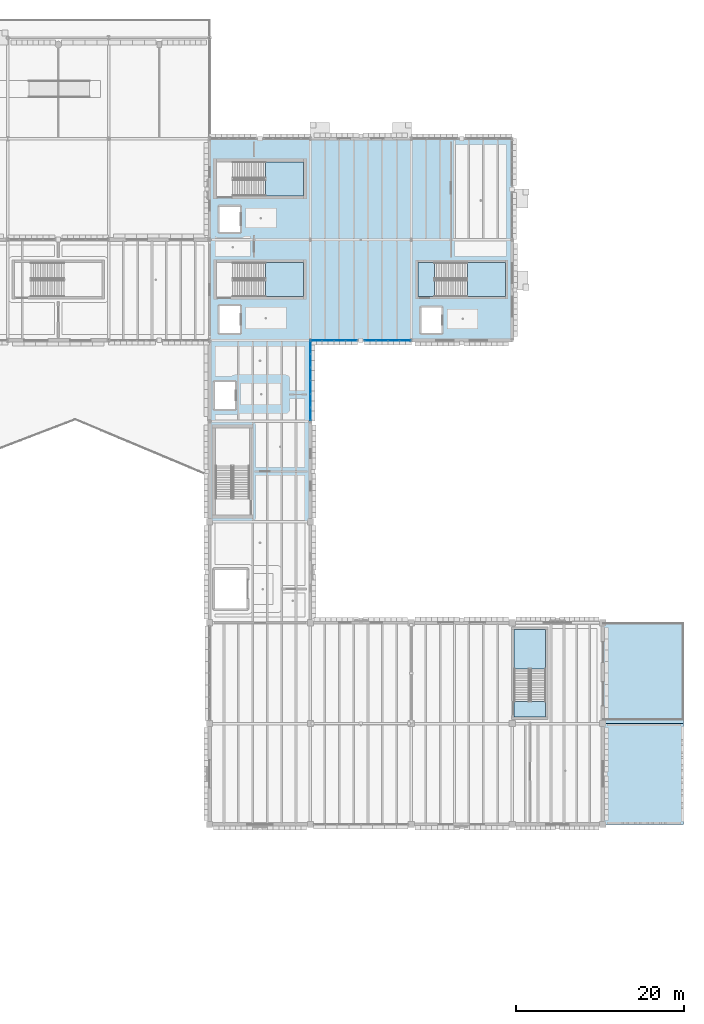
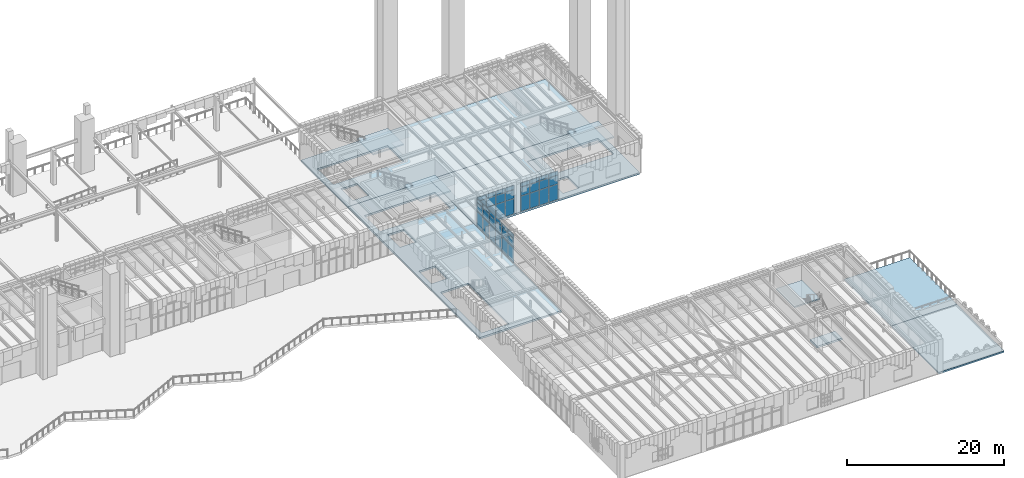
# One storey, part 48 of 103: 42 plates, 11 slabs, 7 elements without a shape of their own.
"""IFC4 building model written with IfcOpenShell, lengths in metres."""

from ifc_helpers import new_model, si_unit, direction, frame, origin, origin_2d, place, context, subcontext, project, spatial, polyline, rectangle, outline, extrude, material, layer, layer_set, type_object, element, aggregate, save


model = new_model("IFC4")

# Units and contexts
model_context = context("Model", 3, precision=1e-05, world=origin(), true_north=direction((0.0, 1.0)))
body_context = subcontext(model_context, "Body", "Model", "MODEL_VIEW")
ifc_project = project(units=[si_unit("LENGTHUNIT", "METRE"), si_unit("AREAUNIT", "SQUARE_METRE"), si_unit("VOLUMEUNIT", "CUBIC_METRE"), si_unit("PLANEANGLEUNIT", "RADIAN"), si_unit("MASSUNIT", "GRAM", prefix="KILO")], contexts=[model_context])

# Site, building, storey
site_placement = place(None, origin())
site = spatial("IfcSite", under=ifc_project, at=site_placement, CompositionType="ELEMENT")
building_placement = place(site_placement, origin())
building = spatial("IfcBuilding", under=site, at=building_placement, Name="Zlatogorsky Bluff Art Gallery", CompositionType="ELEMENT")
storey_placement = place(building_placement, origin())
storey = spatial("IfcBuildingStorey", under=building, at=storey_placement, Name="L00", CompositionType="ELEMENT", Elevation=0.0)

# Curtain wall, plates
ifc_material_1 = material(Name="Anodised Bronze Aluminium and Low-Iron Triple Glazing", Category="aluminium")
ifc_layer_1 = layer(ifc_material_1, 0.199951171875)
ifc_layer_set_1 = layer_set([ifc_layer_1], Name="Curtain Wall CW-02")
curtain_wall_type = type_object("IfcCurtainWallType", Name="Curtain Wall CW-02", PredefinedType="USERDEFINED", material=ifc_layer_set_1)
curtain_wall_1_placement = place(storey_placement, origin())
curtain_wall_1 = element("IfcCurtainWall", 1, at=curtain_wall_1_placement, inside=storey, type_object=curtain_wall_type, Name="Unitised curtain wall CW-02 L00 E 10.7", ObjectType="CURTAIN WALL", PredefinedType="USERDEFINED")
ifc_material_2 = material(Name="Low-Iron Laminated Triple Glazing", Category="glass")
ifc_layer_2 = layer(ifc_material_2, 0.035888671875)
ifc_layer_set_2 = layer_set([ifc_layer_2], Name="Glazed Curtain Panel CWP-01")
plate_type = type_object("IfcPlateType", Name="Glazed Curtain Panel CWP-01", PredefinedType="CURTAIN_PANEL", material=ifc_layer_set_2)
plate_1_placement = place(storey_placement, frame((132.0, 75.21630859375, 0.06494140625), z_axis=(0.0, 0.0, 1.0), x_axis=(0.0, 1.0, 0.0)))
plate_1 = element("IfcPlate", 2, at=plate_1_placement, type_object=plate_type, Name="CW-02 panel 1.1", PredefinedType="CURTAIN_PANEL", context=body_context, shape_type="SweptSolid", body=[
    extrude(rectangle(XDim=1.50244140625, YDim=0.035888671875, at=origin_2d()), origin(), (0.0, 0.0, 1.0), 2.3525390625),
])
plate_2_placement = place(storey_placement, frame((132.0, 75.21630859375, 2.482421875), z_axis=(0.0, 0.0, 1.0), x_axis=(0.0, 1.0, 0.0)))
plate_2 = element("IfcPlate", 3, at=plate_2_placement, type_object=plate_type, Name="CW-02 panel 1.2", PredefinedType="CURTAIN_PANEL", context=body_context, shape_type="SweptSolid", body=[
    extrude(rectangle(XDim=1.50244140625, YDim=0.035888671875, at=origin_2d()), origin(), (0.0, 0.0, 1.0), 1.3349609375),
])
plate_3_placement = place(storey_placement, frame((132.0, 75.21630859375, 3.88232421875), z_axis=(0.0, 0.0, 1.0), x_axis=(0.0, 1.0, 0.0)))
plate_3 = element("IfcPlate", 4, at=plate_3_placement, type_object=plate_type, Name="CW-02 panel 1.3", PredefinedType="CURTAIN_PANEL", context=body_context, shape_type="SweptSolid", body=[
    extrude(rectangle(XDim=1.50244140625, YDim=0.035888671875, at=origin_2d()), origin(), (0.0, 0.0, 1.0), 0.612548828125),
])
plate_4_placement = place(storey_placement, frame((132.0, 76.800048828125, 0.06494140625), z_axis=(0.0, 0.0, 1.0), x_axis=(0.0, 1.0, 0.0)))
plate_4 = element("IfcPlate", 5, at=plate_4_placement, type_object=plate_type, Name="CW-02 panel 2.1", PredefinedType="CURTAIN_PANEL", context=body_context, shape_type="SweptSolid", body=[
    extrude(rectangle(XDim=1.534912109375, YDim=0.035888671875, at=origin_2d()), origin(), (0.0, 0.0, 1.0), 2.3525390625),
])
plate_5_placement = place(storey_placement, frame((132.0, 76.800048828125, 2.482421875), z_axis=(0.0, 0.0, 1.0), x_axis=(0.0, 1.0, 0.0)))
plate_5 = element("IfcPlate", 6, at=plate_5_placement, type_object=plate_type, Name="CW-02 panel 2.2", PredefinedType="CURTAIN_PANEL", context=body_context, shape_type="SweptSolid", body=[
    extrude(rectangle(XDim=1.534912109375, YDim=0.035888671875, at=origin_2d()), origin(), (0.0, 0.0, 1.0), 1.3349609375),
])
plate_6_placement = place(storey_placement, frame((132.0, 76.800048828125, 3.88232421875), z_axis=(0.0, 0.0, 1.0), x_axis=(0.0, 1.0, 0.0)))
plate_6 = element("IfcPlate", 7, at=plate_6_placement, type_object=plate_type, Name="CW-02 panel 2.3", PredefinedType="CURTAIN_PANEL", context=body_context, shape_type="SweptSolid", body=[
    extrude(rectangle(XDim=1.534912109375, YDim=0.035888671875, at=origin_2d()), origin(), (0.0, 0.0, 1.0), 0.612548828125),
])
plate_7_placement = place(storey_placement, frame((132.0, 78.39990234375, 0.06494140625), z_axis=(0.0, 0.0, 1.0), x_axis=(0.0, 1.0, 0.0)))
plate_7 = element("IfcPlate", 8, at=plate_7_placement, type_object=plate_type, Name="CW-02 panel 3.1", PredefinedType="CURTAIN_PANEL", context=body_context, shape_type="SweptSolid", body=[
    extrude(rectangle(XDim=1.534912109375, YDim=0.035888671875, at=origin_2d()), origin(), (0.0, 0.0, 1.0), 2.3525390625),
])
plate_8_placement = place(storey_placement, frame((132.0, 78.39990234375, 2.482421875), z_axis=(0.0, 0.0, 1.0), x_axis=(0.0, 1.0, 0.0)))
plate_8 = element("IfcPlate", 9, at=plate_8_placement, type_object=plate_type, Name="CW-02 panel 3.2", PredefinedType="CURTAIN_PANEL", context=body_context, shape_type="SweptSolid", body=[
    extrude(rectangle(XDim=1.534912109375, YDim=0.035888671875, at=origin_2d()), origin(), (0.0, 0.0, 1.0), 1.3349609375),
])
plate_9_placement = place(storey_placement, frame((132.0, 78.39990234375, 3.88232421875), z_axis=(0.0, 0.0, 1.0), x_axis=(0.0, 1.0, 0.0)))
plate_9 = element("IfcPlate", 10, at=plate_9_placement, type_object=plate_type, Name="CW-02 panel 3.3", PredefinedType="CURTAIN_PANEL", context=body_context, shape_type="SweptSolid", body=[
    extrude(rectangle(XDim=1.534912109375, YDim=0.035888671875, at=origin_2d()), origin(), (0.0, 0.0, 1.0), 0.612548828125),
])
plate_10_placement = place(storey_placement, frame((132.0, 80.0, 0.06494140625), z_axis=(0.0, 0.0, 1.0), x_axis=(0.0, 1.0, 0.0)))
plate_10 = element("IfcPlate", 11, at=plate_10_placement, type_object=plate_type, Name="CW-02 panel 4.1", PredefinedType="CURTAIN_PANEL", context=body_context, shape_type="SweptSolid", body=[
    extrude(rectangle(XDim=1.534912109375, YDim=0.035888671875, at=origin_2d()), origin(), (0.0, 0.0, 1.0), 2.3525390625),
])
plate_11_placement = place(storey_placement, frame((132.0, 80.0, 2.482421875), z_axis=(0.0, 0.0, 1.0), x_axis=(0.0, 1.0, 0.0)))
plate_11 = element("IfcPlate", 12, at=plate_11_placement, type_object=plate_type, Name="CW-02 panel 4.2", PredefinedType="CURTAIN_PANEL", context=body_context, shape_type="SweptSolid", body=[
    extrude(rectangle(XDim=1.534912109375, YDim=0.035888671875, at=origin_2d()), origin(), (0.0, 0.0, 1.0), 1.3349609375),
])
plate_12_placement = place(storey_placement, frame((132.0, 80.0, 3.88232421875), z_axis=(0.0, 0.0, 1.0), x_axis=(0.0, 1.0, 0.0)))
plate_12 = element("IfcPlate", 13, at=plate_12_placement, type_object=plate_type, Name="CW-02 panel 4.3", PredefinedType="CURTAIN_PANEL", context=body_context, shape_type="SweptSolid", body=[
    extrude(rectangle(XDim=1.534912109375, YDim=0.035888671875, at=origin_2d()), origin(), (0.0, 0.0, 1.0), 0.612548828125),
])
plate_13_placement = place(storey_placement, frame((132.0, 81.60009765625, 0.06494140625), z_axis=(0.0, 0.0, 1.0), x_axis=(0.0, 1.0, 0.0)))
plate_13 = element("IfcPlate", 14, at=plate_13_placement, type_object=plate_type, Name="CW-02 panel 5.1", PredefinedType="CURTAIN_PANEL", context=body_context, shape_type="SweptSolid", body=[
    extrude(rectangle(XDim=1.534912109375, YDim=0.035888671875, at=origin_2d()), origin(), (0.0, 0.0, 1.0), 2.3525390625),
])
plate_14_placement = place(storey_placement, frame((132.0, 81.60009765625, 2.482421875), z_axis=(0.0, 0.0, 1.0), x_axis=(0.0, 1.0, 0.0)))
plate_14 = element("IfcPlate", 15, at=plate_14_placement, type_object=plate_type, Name="CW-02 panel 5.2", PredefinedType="CURTAIN_PANEL", context=body_context, shape_type="SweptSolid", body=[
    extrude(rectangle(XDim=1.534912109375, YDim=0.035888671875, at=origin_2d()), origin(), (0.0, 0.0, 1.0), 1.3349609375),
])
plate_15_placement = place(storey_placement, frame((132.0, 81.60009765625, 3.88232421875), z_axis=(0.0, 0.0, 1.0), x_axis=(0.0, 1.0, 0.0)))
plate_15 = element("IfcPlate", 16, at=plate_15_placement, type_object=plate_type, Name="CW-02 panel 5.3", PredefinedType="CURTAIN_PANEL", context=body_context, shape_type="SweptSolid", body=[
    extrude(rectangle(XDim=1.534912109375, YDim=0.035888671875, at=origin_2d()), origin(), (0.0, 0.0, 1.0), 0.612548828125),
])
plate_16_placement = place(storey_placement, frame((132.0, 83.183837890625, 0.06494140625), z_axis=(0.0, 0.0, 1.0), x_axis=(0.0, 1.0, 0.0)))
plate_16 = element("IfcPlate", 17, at=plate_16_placement, type_object=plate_type, Name="CW-02 panel 6.1", PredefinedType="CURTAIN_PANEL", context=body_context, shape_type="SweptSolid", body=[
    extrude(rectangle(XDim=1.50244140625, YDim=0.035888671875, at=origin_2d()), origin(), (0.0, 0.0, 1.0), 2.3525390625),
])
plate_17_placement = place(storey_placement, frame((132.0, 83.183837890625, 2.482421875), z_axis=(0.0, 0.0, 1.0), x_axis=(0.0, 1.0, 0.0)))
plate_17 = element("IfcPlate", 18, at=plate_17_placement, type_object=plate_type, Name="CW-02 panel 6.2", PredefinedType="CURTAIN_PANEL", context=body_context, shape_type="SweptSolid", body=[
    extrude(rectangle(XDim=1.50244140625, YDim=0.035888671875, at=origin_2d()), origin(), (0.0, 0.0, 1.0), 1.3349609375),
])
plate_18_placement = place(storey_placement, frame((132.0, 83.183837890625, 3.88232421875), z_axis=(0.0, 0.0, 1.0), x_axis=(0.0, 1.0, 0.0)))
plate_18 = element("IfcPlate", 19, at=plate_18_placement, type_object=plate_type, Name="CW-02 panel 6.3", PredefinedType="CURTAIN_PANEL", context=body_context, shape_type="SweptSolid", body=[
    extrude(rectangle(XDim=1.50244140625, YDim=0.035888671875, at=origin_2d()), origin(), (0.0, 0.0, 1.0), 0.612548828125),
])
aggregate(curtain_wall_1, [plate_1, plate_2, plate_3, plate_4, plate_5, plate_6, plate_7, plate_8, plate_9, plate_10, plate_11, plate_12, plate_13, plate_14, plate_15, plate_16, plate_17, plate_18])

curtain_wall_2_placement = place(storey_placement, origin())
curtain_wall_2 = element("IfcCurtainWall", 20, at=curtain_wall_2_placement, inside=storey, type_object=curtain_wall_type, Name="Unitised curtain wall CW-02 L00 S 11.8-A", ObjectType="CURTAIN WALL", PredefinedType="USERDEFINED")
plate_19_placement = place(storey_placement, frame((132.7138671875, 84.0, 0.06494140625), z_axis=(0.0, 0.0, 1.0), x_axis=(1.0, 0.0, 0.0)))
plate_19 = element("IfcPlate", 21, at=plate_19_placement, type_object=plate_type, Name="CW-02 panel 1.1", PredefinedType="CURTAIN_PANEL", context=body_context, shape_type="SweptSolid", body=[
    extrude(rectangle(XDim=1.297607421875, YDim=0.035888671875, at=origin_2d()), origin(), (0.0, 0.0, 1.0), 2.3525390625),
])
plate_20_placement = place(storey_placement, frame((132.7138671875, 84.0, 2.482421875), z_axis=(0.0, 0.0, 1.0), x_axis=(1.0, 0.0, 0.0)))
plate_20 = element("IfcPlate", 22, at=plate_20_placement, type_object=plate_type, Name="CW-02 panel 1.2", PredefinedType="CURTAIN_PANEL", context=body_context, shape_type="SweptSolid", body=[
    extrude(rectangle(XDim=1.297607421875, YDim=0.035888671875, at=origin_2d()), origin(), (0.0, 0.0, 1.0), 1.3349609375),
])
plate_21_placement = place(storey_placement, frame((132.7138671875, 84.0, 3.88232421875), z_axis=(0.0, 0.0, 1.0), x_axis=(1.0, 0.0, 0.0)))
plate_21 = element("IfcPlate", 23, at=plate_21_placement, type_object=plate_type, Name="CW-02 panel 1.3", PredefinedType="CURTAIN_PANEL", context=body_context, shape_type="SweptSolid", body=[
    extrude(rectangle(XDim=1.297607421875, YDim=0.035888671875, at=origin_2d()), origin(), (0.0, 0.0, 1.0), 0.612548828125),
])
plate_22_placement = place(storey_placement, frame((134.092529296875, 84.0, 0.06494140625), z_axis=(0.0, 0.0, 1.0), x_axis=(1.0, 0.0, 0.0)))
plate_22 = element("IfcPlate", 24, at=plate_22_placement, type_object=plate_type, Name="CW-02 panel 2.1", PredefinedType="CURTAIN_PANEL", context=body_context, shape_type="SweptSolid", body=[
    extrude(rectangle(XDim=1.330078125, YDim=0.035888671875, at=origin_2d()), origin(), (0.0, 0.0, 1.0), 2.3525390625),
])
plate_23_placement = place(storey_placement, frame((134.092529296875, 84.0, 2.482421875), z_axis=(0.0, 0.0, 1.0), x_axis=(1.0, 0.0, 0.0)))
plate_23 = element("IfcPlate", 25, at=plate_23_placement, type_object=plate_type, Name="CW-02 panel 2.2", PredefinedType="CURTAIN_PANEL", context=body_context, shape_type="SweptSolid", body=[
    extrude(rectangle(XDim=1.330078125, YDim=0.035888671875, at=origin_2d()), origin(), (0.0, 0.0, 1.0), 1.3349609375),
])
plate_24_placement = place(storey_placement, frame((134.092529296875, 84.0, 3.88232421875), z_axis=(0.0, 0.0, 1.0), x_axis=(1.0, 0.0, 0.0)))
plate_24 = element("IfcPlate", 26, at=plate_24_placement, type_object=plate_type, Name="CW-02 panel 2.3", PredefinedType="CURTAIN_PANEL", context=body_context, shape_type="SweptSolid", body=[
    extrude(rectangle(XDim=1.330078125, YDim=0.035888671875, at=origin_2d()), origin(), (0.0, 0.0, 1.0), 0.612548828125),
])
plate_25_placement = place(storey_placement, frame((135.487548828125, 84.0, 0.06494140625), z_axis=(0.0, 0.0, 1.0), x_axis=(1.0, 0.0, 0.0)))
plate_25 = element("IfcPlate", 27, at=plate_25_placement, type_object=plate_type, Name="CW-02 panel 3.1", PredefinedType="CURTAIN_PANEL", context=body_context, shape_type="SweptSolid", body=[
    extrude(rectangle(XDim=1.330078125, YDim=0.035888671875, at=origin_2d()), origin(), (0.0, 0.0, 1.0), 2.3525390625),
])
plate_26_placement = place(storey_placement, frame((135.487548828125, 84.0, 2.482421875), z_axis=(0.0, 0.0, 1.0), x_axis=(1.0, 0.0, 0.0)))
plate_26 = element("IfcPlate", 28, at=plate_26_placement, type_object=plate_type, Name="CW-02 panel 3.2", PredefinedType="CURTAIN_PANEL", context=body_context, shape_type="SweptSolid", body=[
    extrude(rectangle(XDim=1.330078125, YDim=0.035888671875, at=origin_2d()), origin(), (0.0, 0.0, 1.0), 1.3349609375),
])
plate_27_placement = place(storey_placement, frame((135.487548828125, 84.0, 3.88232421875), z_axis=(0.0, 0.0, 1.0), x_axis=(1.0, 0.0, 0.0)))
plate_27 = element("IfcPlate", 29, at=plate_27_placement, type_object=plate_type, Name="CW-02 panel 3.3", PredefinedType="CURTAIN_PANEL", context=body_context, shape_type="SweptSolid", body=[
    extrude(rectangle(XDim=1.330078125, YDim=0.035888671875, at=origin_2d()), origin(), (0.0, 0.0, 1.0), 0.612548828125),
])
plate_28_placement = place(storey_placement, frame((136.8662109375, 84.0, 0.06494140625), z_axis=(0.0, 0.0, 1.0), x_axis=(1.0, 0.0, 0.0)))
plate_28 = element("IfcPlate", 30, at=plate_28_placement, type_object=plate_type, Name="CW-02 panel 4.1", PredefinedType="CURTAIN_PANEL", context=body_context, shape_type="SweptSolid", body=[
    extrude(rectangle(XDim=1.297607421875, YDim=0.035888671875, at=origin_2d()), origin(), (0.0, 0.0, 1.0), 2.3525390625),
])
plate_29_placement = place(storey_placement, frame((136.8662109375, 84.0, 2.482421875), z_axis=(0.0, 0.0, 1.0), x_axis=(1.0, 0.0, 0.0)))
plate_29 = element("IfcPlate", 31, at=plate_29_placement, type_object=plate_type, Name="CW-02 panel 4.2", PredefinedType="CURTAIN_PANEL", context=body_context, shape_type="SweptSolid", body=[
    extrude(rectangle(XDim=1.297607421875, YDim=0.035888671875, at=origin_2d()), origin(), (0.0, 0.0, 1.0), 1.3349609375),
])
plate_30_placement = place(storey_placement, frame((136.8662109375, 84.0, 3.88232421875), z_axis=(0.0, 0.0, 1.0), x_axis=(1.0, 0.0, 0.0)))
plate_30 = element("IfcPlate", 32, at=plate_30_placement, type_object=plate_type, Name="CW-02 panel 4.3", PredefinedType="CURTAIN_PANEL", context=body_context, shape_type="SweptSolid", body=[
    extrude(rectangle(XDim=1.297607421875, YDim=0.035888671875, at=origin_2d()), origin(), (0.0, 0.0, 1.0), 0.612548828125),
])
aggregate(curtain_wall_2, [plate_19, plate_20, plate_21, plate_22, plate_23, plate_24, plate_25, plate_26, plate_27, plate_28, plate_29, plate_30])

curtain_wall_3_placement = place(storey_placement, origin())
curtain_wall_3 = element("IfcCurtainWall", 33, at=curtain_wall_3_placement, inside=storey, type_object=curtain_wall_type, Name="Unitised curtain wall CW-02 L00 S 11.8-B", ObjectType="CURTAIN WALL", PredefinedType="USERDEFINED")
plate_31_placement = place(storey_placement, frame((139.1337890625, 84.0, 0.06494140625), z_axis=(0.0, 0.0, 1.0), x_axis=(1.0, 0.0, 0.0)))
plate_31 = element("IfcPlate", 34, at=plate_31_placement, type_object=plate_type, Name="CW-02 panel 1.1", PredefinedType="CURTAIN_PANEL", context=body_context, shape_type="SweptSolid", body=[
    extrude(rectangle(XDim=1.297607421875, YDim=0.035888671875, at=origin_2d()), origin(), (0.0, 0.0, 1.0), 2.3525390625),
])
plate_32_placement = place(storey_placement, frame((139.1337890625, 84.0, 2.482421875), z_axis=(0.0, 0.0, 1.0), x_axis=(1.0, 0.0, 0.0)))
plate_32 = element("IfcPlate", 35, at=plate_32_placement, type_object=plate_type, Name="CW-02 panel 1.2", PredefinedType="CURTAIN_PANEL", context=body_context, shape_type="SweptSolid", body=[
    extrude(rectangle(XDim=1.297607421875, YDim=0.035888671875, at=origin_2d()), origin(), (0.0, 0.0, 1.0), 1.3349609375),
])
plate_33_placement = place(storey_placement, frame((139.1337890625, 84.0, 3.88232421875), z_axis=(0.0, 0.0, 1.0), x_axis=(1.0, 0.0, 0.0)))
plate_33 = element("IfcPlate", 36, at=plate_33_placement, type_object=plate_type, Name="CW-02 panel 1.3", PredefinedType="CURTAIN_PANEL", context=body_context, shape_type="SweptSolid", body=[
    extrude(rectangle(XDim=1.297607421875, YDim=0.035888671875, at=origin_2d()), origin(), (0.0, 0.0, 1.0), 0.612548828125),
])
plate_34_placement = place(storey_placement, frame((140.512451171875, 84.0, 0.06494140625), z_axis=(0.0, 0.0, 1.0), x_axis=(1.0, 0.0, 0.0)))
plate_34 = element("IfcPlate", 37, at=plate_34_placement, type_object=plate_type, Name="CW-02 panel 2.1", PredefinedType="CURTAIN_PANEL", context=body_context, shape_type="SweptSolid", body=[
    extrude(rectangle(XDim=1.330078125, YDim=0.035888671875, at=origin_2d()), origin(), (0.0, 0.0, 1.0), 2.3525390625),
])
plate_35_placement = place(storey_placement, frame((140.512451171875, 84.0, 2.482421875), z_axis=(0.0, 0.0, 1.0), x_axis=(1.0, 0.0, 0.0)))
plate_35 = element("IfcPlate", 38, at=plate_35_placement, type_object=plate_type, Name="CW-02 panel 2.2", PredefinedType="CURTAIN_PANEL", context=body_context, shape_type="SweptSolid", body=[
    extrude(rectangle(XDim=1.330078125, YDim=0.035888671875, at=origin_2d()), origin(), (0.0, 0.0, 1.0), 1.3349609375),
])
plate_36_placement = place(storey_placement, frame((140.512451171875, 84.0, 3.88232421875), z_axis=(0.0, 0.0, 1.0), x_axis=(1.0, 0.0, 0.0)))
plate_36 = element("IfcPlate", 39, at=plate_36_placement, type_object=plate_type, Name="CW-02 panel 2.3", PredefinedType="CURTAIN_PANEL", context=body_context, shape_type="SweptSolid", body=[
    extrude(rectangle(XDim=1.330078125, YDim=0.035888671875, at=origin_2d()), origin(), (0.0, 0.0, 1.0), 0.612548828125),
])
plate_37_placement = place(storey_placement, frame((141.907470703125, 84.0, 0.06494140625), z_axis=(0.0, 0.0, 1.0), x_axis=(1.0, 0.0, 0.0)))
plate_37 = element("IfcPlate", 40, at=plate_37_placement, type_object=plate_type, Name="CW-02 panel 3.1", PredefinedType="CURTAIN_PANEL", context=body_context, shape_type="SweptSolid", body=[
    extrude(rectangle(XDim=1.330078125, YDim=0.035888671875, at=origin_2d()), origin(), (0.0, 0.0, 1.0), 2.3525390625),
])
plate_38_placement = place(storey_placement, frame((141.907470703125, 84.0, 2.482421875), z_axis=(0.0, 0.0, 1.0), x_axis=(1.0, 0.0, 0.0)))
plate_38 = element("IfcPlate", 41, at=plate_38_placement, type_object=plate_type, Name="CW-02 panel 3.2", PredefinedType="CURTAIN_PANEL", context=body_context, shape_type="SweptSolid", body=[
    extrude(rectangle(XDim=1.330078125, YDim=0.035888671875, at=origin_2d()), origin(), (0.0, 0.0, 1.0), 1.3349609375),
])
plate_39_placement = place(storey_placement, frame((141.907470703125, 84.0, 3.88232421875), z_axis=(0.0, 0.0, 1.0), x_axis=(1.0, 0.0, 0.0)))
plate_39 = element("IfcPlate", 42, at=plate_39_placement, type_object=plate_type, Name="CW-02 panel 3.3", PredefinedType="CURTAIN_PANEL", context=body_context, shape_type="SweptSolid", body=[
    extrude(rectangle(XDim=1.330078125, YDim=0.035888671875, at=origin_2d()), origin(), (0.0, 0.0, 1.0), 0.612548828125),
])
plate_40_placement = place(storey_placement, frame((143.2861328125, 84.0, 0.06494140625), z_axis=(0.0, 0.0, 1.0), x_axis=(1.0, 0.0, 0.0)))
plate_40 = element("IfcPlate", 43, at=plate_40_placement, type_object=plate_type, Name="CW-02 panel 4.1", PredefinedType="CURTAIN_PANEL", context=body_context, shape_type="SweptSolid", body=[
    extrude(rectangle(XDim=1.297607421875, YDim=0.035888671875, at=origin_2d()), origin(), (0.0, 0.0, 1.0), 2.3525390625),
])
plate_41_placement = place(storey_placement, frame((143.2861328125, 84.0, 2.482421875), z_axis=(0.0, 0.0, 1.0), x_axis=(1.0, 0.0, 0.0)))
plate_41 = element("IfcPlate", 44, at=plate_41_placement, type_object=plate_type, Name="CW-02 panel 4.2", PredefinedType="CURTAIN_PANEL", context=body_context, shape_type="SweptSolid", body=[
    extrude(rectangle(XDim=1.297607421875, YDim=0.035888671875, at=origin_2d()), origin(), (0.0, 0.0, 1.0), 1.3349609375),
])
plate_42_placement = place(storey_placement, frame((143.2861328125, 84.0, 3.88232421875), z_axis=(0.0, 0.0, 1.0), x_axis=(1.0, 0.0, 0.0)))
plate_42 = element("IfcPlate", 45, at=plate_42_placement, type_object=plate_type, Name="CW-02 panel 4.3", PredefinedType="CURTAIN_PANEL", context=body_context, shape_type="SweptSolid", body=[
    extrude(rectangle(XDim=1.297607421875, YDim=0.035888671875, at=origin_2d()), origin(), (0.0, 0.0, 1.0), 0.612548828125),
])
aggregate(curtain_wall_3, [plate_31, plate_32, plate_33, plate_34, plate_35, plate_36, plate_37, plate_38, plate_39, plate_40, plate_41, plate_42])

# Slabs
ifc_material_3 = material(Name="Concrete C30/37", Category="concrete")
ifc_layer_3 = layer(ifc_material_3, 0.239990234375)
ifc_layer_set_3 = layer_set([ifc_layer_3], Name="Slab RF-FL2 240mm")
slab_type_1 = type_object("IfcSlabType", Name="Slab RF-FL2 240mm", PredefinedType="ROOF", material=ifc_layer_set_3)
slab_1_placement = place(storey_placement, frame((0.0, 0.0, -0.239990234375)))
element("IfcSlab", 46, at=slab_1_placement, inside=storey, type_object=slab_type_1, Name="L00 flat insulated roof slab 1", PredefinedType="ROOF", context=body_context, shape_type="SweptSolid", body=[
    extrude(outline(polyline([(176.39990234375, 26.39990234375), (176.39990234375, 38.39990234375), (166.800048828125, 38.39990234375), (166.800048828125, 26.39990234375), (176.39990234375, 26.39990234375)])), origin(), (0.0, 0.0, 1.0), 0.239990234375),
])
ifc_layer_4 = layer(ifc_material_3, 0.280029296875)
ifc_layer_set_4 = layer_set([ifc_layer_4], Name="Slab SL-00 280mm")
slab_type_2 = type_object("IfcSlabType", Name="Slab SL-00 280mm", PredefinedType="FLOOR", material=ifc_layer_set_4)
slab_2_placement = place(storey_placement, frame((0.0, 0.0, -0.280029296875)))
element("IfcSlab", 47, at=slab_2_placement, inside=storey, type_object=slab_type_2, Name="L00 structural floor slab panel 15", PredefinedType="FLOOR", context=body_context, shape_type="SweptSolid", body=[
    extrude(outline(polyline([(120.0, 62.39990234375), (120.0, 74.39990234375), (120.0, 84.0), (120.0, 96.0), (132.0, 96.0), (132.0, 84.0), (132.0, 74.39990234375), (132.0, 62.39990234375), (120.0, 62.39990234375)]), holes=[polyline([(123.02001953125, 79.050048828125), (120.6201171875, 79.050048828125), (120.6201171875, 75.85009765625), (123.02001953125, 75.85009765625), (123.02001953125, 79.050048828125)]), polyline([(123.60009765625, 88.10009765625), (121.199951171875, 88.10009765625), (121.199951171875, 84.89990234375), (123.60009765625, 84.89990234375), (123.60009765625, 88.10009765625)]), polyline([(124.75, 73.60009765625), (120.699951171875, 73.60009765625), (120.699951171875, 63.199951171875), (124.75, 63.199951171875), (124.75, 73.60009765625)]), polyline([(131.199951171875, 89.199951171875), (131.199951171875, 93.25), (120.800048828125, 93.25), (120.800048828125, 89.199951171875), (131.199951171875, 89.199951171875)])]), origin(), (0.0, 0.0, 1.0), 0.280029296875),
])
slab_3_placement = place(storey_placement, frame((0.0, 0.0, -0.280029296875)))
element("IfcSlab", 48, at=slab_3_placement, inside=storey, type_object=slab_type_2, Name="L00 structural floor slab panel 16", PredefinedType="FLOOR", context=body_context, shape_type="SweptSolid", body=[
    extrude(outline(polyline([(120.0, 108.0), (132.0, 108.0), (144.0, 108.0), (156.0, 108.0), (156.0, 96.0), (144.0, 96.0), (132.0, 96.0), (120.0, 96.0), (120.0, 108.0)]), holes=[polyline([(123.60009765625, 99.89990234375), (121.199951171875, 99.89990234375), (121.199951171875, 96.89990234375), (123.60009765625, 96.89990234375), (123.60009765625, 99.89990234375)]), polyline([(131.199951171875, 101.199951171875), (131.199951171875, 105.25), (120.800048828125, 105.25), (120.800048828125, 101.199951171875), (131.199951171875, 101.199951171875)])]), origin(), (0.0, 0.0, 1.0), 0.280029296875),
])
slab_4_placement = place(storey_placement, frame((0.0, 0.0, -0.280029296875)))
element("IfcSlab", 49, at=slab_4_placement, inside=storey, type_object=slab_type_2, Name="L00 structural floor slab panel 18", PredefinedType="FLOOR", context=body_context, shape_type="SweptSolid", body=[
    extrude(outline(polyline([(132.0, 96.0), (144.0, 96.0), (156.0, 96.0), (156.0, 84.0), (144.0, 84.0), (132.0, 84.0), (132.0, 96.0)]), holes=[polyline([(147.60009765625, 87.89990234375), (145.199951171875, 87.89990234375), (145.199951171875, 84.89990234375), (147.60009765625, 84.89990234375), (147.60009765625, 87.89990234375)]), polyline([(155.199951171875, 89.199951171875), (155.199951171875, 93.25), (144.800048828125, 93.25), (144.800048828125, 89.199951171875), (155.199951171875, 89.199951171875)])]), origin(), (0.0, 0.0, 1.0), 0.280029296875),
])
slab_5_placement = place(storey_placement, frame((0.0, 0.0, -0.280029296875)))
element("IfcSlab", 50, at=slab_5_placement, inside=storey, type_object=slab_type_2, Name="L00 stair ST-04 structural floor landing slab", PredefinedType="FLOOR", context=body_context, shape_type="SweptSolid", body=[
    extrude(outline(polyline([(144.800048828125, 89.199951171875), (146.75, 89.199951171875), (146.75, 93.25), (144.800048828125, 93.25), (144.800048828125, 89.199951171875)])), origin(), (0.0, 0.0, 1.0), 0.280029296875),
])
slab_6_placement = place(storey_placement, frame((0.0, 0.0, -0.280029296875)))
element("IfcSlab", 51, at=slab_6_placement, inside=storey, type_object=slab_type_2, Name="L00 stair ST-10 structural floor landing slab", PredefinedType="FLOOR", context=body_context, shape_type="SweptSolid", body=[
    extrude(outline(polyline([(160.0, 39.199951171875), (160.0, 41.0), (156.25, 41.0), (156.25, 39.199951171875), (160.0, 39.199951171875)])), origin(), (0.0, 0.0, 1.0), 0.280029296875),
])
ifc_material_4 = material(Name="Concrete C35/45", Category="concrete")
ifc_layer_5 = layer(ifc_material_4, 0.219970703125)
ifc_layer_set_5 = layer_set([ifc_layer_5], Name="Slab SL-TR1 220mm")
slab_type_3 = type_object("IfcSlabType", Name="Slab SL-TR1 220mm", PredefinedType="FLOOR", material=ifc_layer_set_5)
slab_7_placement = place(storey_placement, frame((0.0, 0.0, -0.219970703125)))
element("IfcSlab", 52, at=slab_7_placement, inside=storey, type_object=slab_type_3, Name="L00 outdoor sculpture terrace slab 2", PredefinedType="FLOOR", context=body_context, shape_type="SweptSolid", body=[
    extrude(outline(polyline([(166.800048828125, 50.39990234375), (176.39990234375, 50.39990234375), (176.39990234375, 38.39990234375), (166.800048828125, 38.39990234375), (166.800048828125, 50.39990234375)])), origin(), (0.0, 0.0, 1.0), 0.219970703125),
])

# Stair, slab
stair_type_1 = type_object("IfcStairType", Name="Protected Dogleg Stair ST-T3", PredefinedType="HALF_TURN_STAIR", material=ifc_material_3)
stair_1_placement = place(storey_placement, origin())
stair_1 = element("IfcStair", 53, at=stair_1_placement, inside=storey, type_object=stair_type_1, Name="L00 Protected Exit Stair ST-02", PredefinedType="HALF_TURN_STAIR")
ifc_layer_6 = layer(ifc_material_3, 0.199951171875)
ifc_layer_set_6 = layer_set([ifc_layer_6], Name="Stair Half-Landing 200mm")
slab_type_4 = type_object("IfcSlabType", Name="Stair Half-Landing 200mm", PredefinedType="LANDING", material=ifc_layer_set_6)
slab_8_placement = place(storey_placement, frame((0.0, 0.0, 2.5)))
slab_8 = element("IfcSlab", 54, at=slab_8_placement, type_object=slab_type_4, Name="ST-02 landing 1", PredefinedType="LANDING", context=body_context, shape_type="SweptSolid", body=[
    extrude(outline(polyline([(126.669921875, 89.199951171875), (131.199951171875, 89.199951171875), (131.199951171875, 93.25), (126.669921875, 93.25), (126.669921875, 89.199951171875)])), origin(), (0.0, 0.0, 1.0), 0.199951171875),
])
aggregate(stair_1, [slab_8])

stair_2_placement = place(storey_placement, origin())
stair_2 = element("IfcStair", 55, at=stair_2_placement, inside=storey, type_object=stair_type_1, Name="L00 Protected Exit Stair ST-03", PredefinedType="HALF_TURN_STAIR")
slab_9_placement = place(storey_placement, frame((0.0, 0.0, 2.5)))
slab_9 = element("IfcSlab", 56, at=slab_9_placement, type_object=slab_type_4, Name="ST-03 landing 1", PredefinedType="LANDING", context=body_context, shape_type="SweptSolid", body=[
    extrude(outline(polyline([(126.669921875, 101.199951171875), (131.199951171875, 101.199951171875), (131.199951171875, 105.25), (126.669921875, 105.25), (126.669921875, 101.199951171875)])), origin(), (0.0, 0.0, 1.0), 0.199951171875),
])
aggregate(stair_2, [slab_9])

stair_3_placement = place(storey_placement, origin())
stair_3 = element("IfcStair", 57, at=stair_3_placement, inside=storey, type_object=stair_type_1, Name="L00 Protected Exit Stair ST-04", PredefinedType="HALF_TURN_STAIR")
slab_10_placement = place(storey_placement, frame((0.0, 0.0, 2.5)))
slab_10 = element("IfcSlab", 58, at=slab_10_placement, type_object=slab_type_4, Name="ST-04 landing 1", PredefinedType="LANDING", context=body_context, shape_type="SweptSolid", body=[
    extrude(outline(polyline([(150.669921875, 89.199951171875), (155.199951171875, 89.199951171875), (155.199951171875, 93.25), (150.669921875, 93.25), (150.669921875, 89.199951171875)])), origin(), (0.0, 0.0, 1.0), 0.199951171875),
])
aggregate(stair_3, [slab_10])

stair_type_2 = type_object("IfcStairType", Name="Protected Dogleg Stair ST-T1", PredefinedType="HALF_TURN_STAIR", material=ifc_material_3)
stair_4_placement = place(storey_placement, origin())
stair_4 = element("IfcStair", 59, at=stair_4_placement, inside=storey, type_object=stair_type_2, Name="L00 Protected Exit Stair ST-10", PredefinedType="HALF_TURN_STAIR")
slab_11_placement = place(storey_placement, frame((0.0, 0.0, 2.5)))
slab_11 = element("IfcSlab", 60, at=slab_11_placement, type_object=slab_type_4, Name="ST-10 landing 1", PredefinedType="LANDING", context=body_context, shape_type="SweptSolid", body=[
    extrude(outline(polyline([(160.0, 44.919921875), (160.0, 49.60009765625), (156.25, 49.60009765625), (156.25, 44.919921875), (160.0, 44.919921875)])), origin(), (0.0, 0.0, 1.0), 0.199951171875),
])
aggregate(stair_4, [slab_11])

save(model, "model.ifc")
